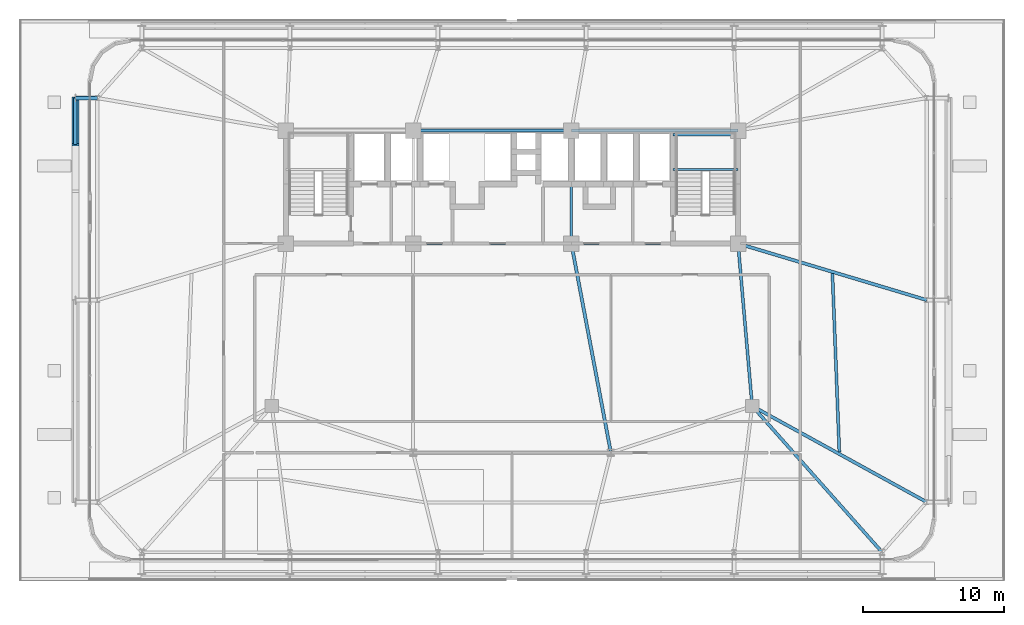
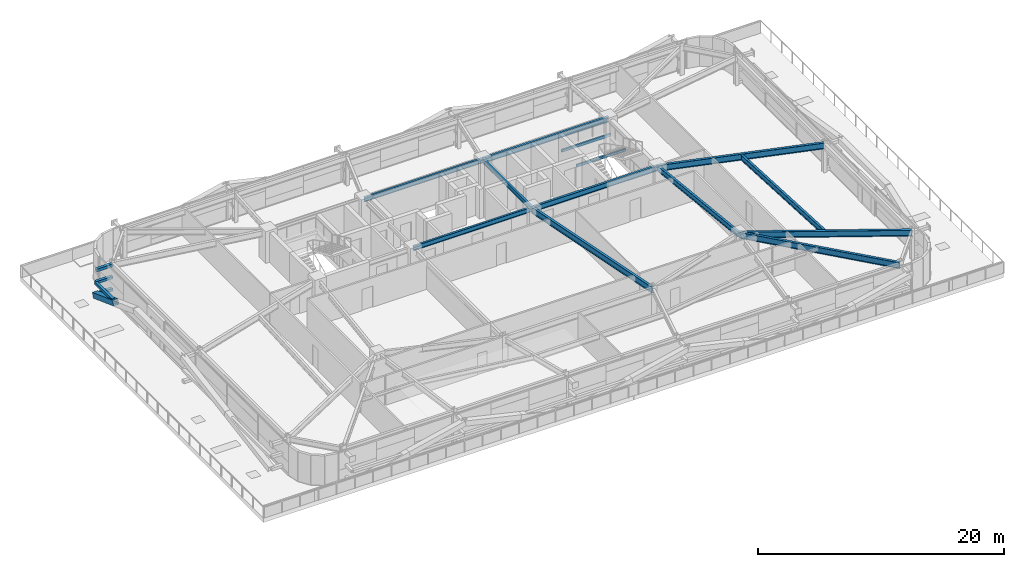
# One storey, part 24 of 56: 13 beams, 5 members.
"""IFC4 building model written with IfcOpenShell, lengths in metres."""

from ifc_helpers import new_model, si_unit, direction, frame, origin, origin_2d, place, context, subcontext, project, spatial, hollow_rectangle, i_section, extrude, source, transform, mapped, material, material_profile, profile_set, type_object, element, save


model = new_model("IFC4")

# Units and contexts
model_context = context("Model", 3, precision=1e-05, world=origin(), true_north=direction((0.0, 1.0)))
body_context = subcontext(model_context, "Body", "Model", "MODEL_VIEW")
ifc_project = project(units=[si_unit("LENGTHUNIT", "METRE"), si_unit("AREAUNIT", "SQUARE_METRE"), si_unit("VOLUMEUNIT", "CUBIC_METRE"), si_unit("PLANEANGLEUNIT", "RADIAN"), si_unit("MASSUNIT", "GRAM", prefix="KILO")], contexts=[model_context])

# Site, building, storey
site_placement = place(None, origin())
site = spatial("IfcSite", under=ifc_project, at=site_placement, CompositionType="ELEMENT")
building_placement = place(site_placement, origin())
building = spatial("IfcBuilding", under=site, at=building_placement, Name="Taldren Reach Tower", CompositionType="ELEMENT")
storey_placement = place(building_placement, frame((0.0, 0.0, 16.800048828125)))
storey = spatial("IfcBuildingStorey", under=building, at=storey_placement, Name="L04", CompositionType="ELEMENT", Elevation=16.800048828125)

# Beams
ifc_material_1 = material(Name="Steel Gr 350 (350PLUS)", Category="steel")
ifc_material_profile_1 = material_profile(ifc_material_1, i_section(OverallWidth=0.19091796875, OverallDepth=0.4599609375, WebThickness=0.010009765625, FlangeThickness=0.01611328125, at=origin_2d()), Name="460UB82.1")
ifc_profile_set_1 = profile_set([ifc_material_profile_1], Name="Steel Gr 350 (350PLUS)")
beam_type_1 = type_object("IfcBeamType", Name="BM-UB460A", PredefinedType="BEAM", material=ifc_profile_set_1)
shared_shape_1 = source(origin(), body_context, "Body", "SweptSolid", [
    extrude(i_section(OverallWidth=0.19091796875, OverallDepth=0.4599609375, WebThickness=0.010009765625, FlangeThickness=0.01611328125, at=origin_2d()), origin(), (0.0, 0.0, 1.0), 11.199951171875),
])
for number, where, z_axis, x_axis, name in (
    (1, (28.0, 24.0, 2.699951171875), (1.0, 0.0, 0.0), (0.0, 1.0, 0.0), "Core-spine girder L04-SP02"),
    (2, (28.0, 32.0, 2.699951171875), (1.0, 0.0, 0.0), (0.0, 1.0, 0.0), "Core-spine girder L04-SP05"),
):
    element("IfcBeam", number, at=place(storey_placement, frame(where, z_axis=z_axis, x_axis=x_axis)), inside=storey, type_object=beam_type_1, Name=name, PredefinedType="BEAM", context=body_context, shape_type="MappedRepresentation", body=[
        mapped(shared_shape_1, transform((0.0, 0.0, 0.0), scale=1.0)),
    ])
ifc_material_profile_2 = material_profile(ifc_material_1, i_section(OverallWidth=0.208984375, OverallDepth=0.532958984375, WebThickness=0.01025390625, FlangeThickness=0.015625, at=origin_2d()), Name="530UB92.4")
ifc_profile_set_2 = profile_set([ifc_material_profile_2], Name="Steel Gr 350 (350PLUS)")
beam_type_2 = type_object("IfcBeamType", Name="BM-UB530A", PredefinedType="BEAM", material=ifc_profile_set_2)
shared_shape_2 = source(origin(), body_context, "Body", "SweptSolid", [
    extrude(i_section(OverallWidth=0.208984375, OverallDepth=0.532958984375, WebThickness=0.01025390625, FlangeThickness=0.015625, at=origin_2d()), origin(), (0.0, 0.0, 1.0), 11.800048828125),
])
for number, where, z_axis, x_axis, name in (
    (3, (39.199951171875, 24.0, 2.663330078125), (1.0, 0.0, 0.0), (0.0, 1.0, 0.0), "Core-spine girder L04-SP03"),
    (4, (39.199951171875, 32.0, 2.663330078125), (1.0, 0.0, 0.0), (0.0, 1.0, 0.0), "Core-spine girder L04-SP06"),
):
    element("IfcBeam", number, at=place(storey_placement, frame(where, z_axis=z_axis, x_axis=x_axis)), inside=storey, type_object=beam_type_2, Name=name, PredefinedType="BEAM", context=body_context, shape_type="MappedRepresentation", body=[
        mapped(shared_shape_2, transform((0.0, 0.0, 0.0), scale=1.0)),
    ])
shared_shape_3 = source(origin(), body_context, "Body", "SweptSolid", [
    extrude(i_section(OverallWidth=0.19091796875, OverallDepth=0.4599609375, WebThickness=0.010009765625, FlangeThickness=0.01611328125, at=origin_2d()), origin(), (0.0, 0.0, 1.0), 8.0),
])
beam_1_placement = place(storey_placement, frame((39.199951171875, 24.0, 2.699951171875), z_axis=(0.0, 1.0, 0.0), x_axis=(-1.0, 0.0, 0.0)))
element("IfcBeam", 5, at=beam_1_placement, inside=storey, type_object=beam_type_1, Name="Core-spine girder L04-SP08", PredefinedType="BEAM", context=body_context, shape_type="MappedRepresentation", body=[
    mapped(shared_shape_3, transform((0.0, 0.0, 0.0), scale=1.0)),
])
shared_shape_4 = source(origin(), body_context, "Body", "SweptSolid", [
    extrude(i_section(OverallWidth=0.208984375, OverallDepth=0.532958984375, WebThickness=0.01025390625, FlangeThickness=0.015625, at=origin_2d()), origin(), (0.0, 0.0, 1.0), 11.54345703125),
])
beam_2_placement = place(storey_placement, frame((52.0, 12.5, 2.663330078125), z_axis=(-0.086629616365, 0.996240588196, 0.0), x_axis=(-0.996240588196, -0.086629616365, 0.0)))
element("IfcBeam", 6, at=beam_2_placement, inside=storey, type_object=beam_type_2, Name="Core-spine girder L04-SP13", PredefinedType="BEAM", context=body_context, shape_type="MappedRepresentation", body=[
    mapped(shared_shape_4, transform((0.0, 0.0, 0.0), scale=1.0)),
])
ifc_material_profile_3 = material_profile(ifc_material_1, i_section(OverallWidth=0.22802734375, OverallDepth=0.60205078125, WebThickness=0.010498046875, FlangeThickness=0.014892578125, at=origin_2d()), Name="610UB101")
ifc_profile_set_3 = profile_set([ifc_material_profile_3], Name="Steel Gr 350 (350PLUS)")
beam_type_3 = type_object("IfcBeamType", Name="BM-UB610B", PredefinedType="BEAM", material=ifc_profile_set_3)
shared_shape_5 = source(origin(), body_context, "Body", "SweptSolid", [
    extrude(i_section(OverallWidth=0.22802734375, OverallDepth=0.60205078125, WebThickness=0.010498046875, FlangeThickness=0.014892578125, at=origin_2d()), origin(), (0.0, 0.0, 1.0), 15.0625),
])
beam_3_placement = place(storey_placement, frame((39.199951171875, 24.0, 2.62890625), z_axis=(0.185894205668, -0.982569765614, 0.0), x_axis=(0.982569765614, 0.185894205668, 0.0)))
element("IfcBeam", 7, at=beam_3_placement, inside=storey, type_object=beam_type_3, Name="Core-spine girder L04-SP15", PredefinedType="BEAM", context=body_context, shape_type="MappedRepresentation", body=[
    mapped(shared_shape_5, transform((0.0, 0.0, 0.0), scale=1.0)),
])
shared_shape_6 = source(origin(), body_context, "Body", "SweptSolid", [
    extrude(i_section(OverallWidth=0.22802734375, OverallDepth=0.60205078125, WebThickness=0.010498046875, FlangeThickness=0.014892578125, at=origin_2d()), origin(), (0.0, 0.0, 1.0), 13.847900390625),
])
beam_4_placement = place(storey_placement, frame((52.0, 12.5, 2.62890625), z_axis=(0.664358367375, -0.747414182164, 0.0), x_axis=(0.747414182164, 0.664358367375, 0.0)))
element("IfcBeam", 8, at=beam_4_placement, inside=storey, type_object=beam_type_3, Name="Primary floor girder B1-S6 L04", PredefinedType="BEAM", context=body_context, shape_type="MappedRepresentation", body=[
    mapped(shared_shape_6, transform((0.0, 0.0, 0.0), scale=1.0)),
])
shared_shape_7 = source(origin(), body_context, "Body", "SweptSolid", [
    extrude(i_section(OverallWidth=0.22802734375, OverallDepth=0.60205078125, WebThickness=0.010498046875, FlangeThickness=0.014892578125, at=origin_2d()), origin(), (0.0, 0.0, 1.0), 14.098388671875),
])
beam_5_placement = place(storey_placement, frame((52.0, 12.5, 2.62890625), z_axis=(0.875991325783, -0.482326857175, 0.0), x_axis=(0.482326857175, 0.875991325783, 0.0)))
element("IfcBeam", 9, at=beam_5_placement, inside=storey, type_object=beam_type_3, Name="Primary floor girder B1-E1 L04", PredefinedType="BEAM", context=body_context, shape_type="MappedRepresentation", body=[
    mapped(shared_shape_7, transform((0.0, 0.0, 0.0), scale=1.0)),
])
shared_shape_8 = source(origin(), body_context, "Body", "SweptSolid", [
    extrude(i_section(OverallWidth=0.22802734375, OverallDepth=0.60205078125, WebThickness=0.010498046875, FlangeThickness=0.014892578125, at=origin_2d()), origin(), (0.0, 0.0, 1.0), 13.9365234375),
])
beam_6_placement = place(storey_placement, frame((51.0, 24.0, 2.62890625), z_axis=(0.957925550891, -0.287016792104, 0.0), x_axis=(0.287016792104, 0.957925550891, 0.0)))
element("IfcBeam", 10, at=beam_6_placement, inside=storey, type_object=beam_type_3, Name="Primary floor girder B1-E2 L04", PredefinedType="BEAM", context=body_context, shape_type="MappedRepresentation", body=[
    mapped(shared_shape_8, transform((0.0, 0.0, 0.0), scale=1.0)),
])
shared_shape_9 = source(origin(), body_context, "Body", "SweptSolid", [
    extrude(i_section(OverallWidth=0.208984375, OverallDepth=0.532958984375, WebThickness=0.01025390625, FlangeThickness=0.015625, at=origin_2d()), origin(), (0.0, 0.0, 1.0), 12.65625),
])
beam_7_placement = place(storey_placement, frame((58.169921875, 9.23291015625, 2.663330078125), z_axis=(-0.0387346395, 0.99924953225, 0.0), x_axis=(-0.99924953225, -0.0387346395, 0.0)))
element("IfcBeam", 11, at=beam_7_placement, inside=storey, type_object=beam_type_2, Name="Secondary floor beam B1 J7 L04", PredefinedType="BEAM", context=body_context, shape_type="MappedRepresentation", body=[
    mapped(shared_shape_9, transform((0.0, 0.0, 0.0), scale=1.0)),
])

# Members
ifc_material_2 = material(Name="Steel Gr 450 (C450L0)", Category="steel")
ifc_material_profile_4 = material_profile(ifc_material_2, hollow_rectangle(XDim=0.27490234375, YDim=0.27490234375, WallThickness=0.00927734375, at=origin_2d()), Name="275x275x9.3SHS")
ifc_profile_set_4 = profile_set([ifc_material_profile_4], Name="Steel Gr 450 (C450L0)")
member_type_1 = type_object("IfcMemberType", Name="MB-TIE273", PredefinedType="STRUT", material=ifc_profile_set_4)
shared_shape_10 = source(origin(), body_context, "Body", "SweptSolid", [
    extrude(hollow_rectangle(XDim=0.27490234375, YDim=0.27490234375, WallThickness=0.00927734375, at=origin_2d()), origin(), (0.0, 0.0, 1.0), 1.5498046875),
])
for number, where, z_axis, x_axis, name in (
    (12, (5.64990234375, 34.300048828125, 2.64990234375), (-1.0, 0.0, 0.0), (0.0, -1.0, 0.0), "Exoskeleton diaphragm tie strut B1-W3 L04"),
    (13, (5.64990234375, 34.300048828125, 0.219970703125), (-1.0, 0.0, 0.0), (0.0, -1.0, 0.0), "Exoskeleton base diaphragm tie strut B1-W3 L04"),
):
    element("IfcMember", number, at=place(storey_placement, frame(where, z_axis=z_axis, x_axis=x_axis)), inside=storey, type_object=member_type_1, Name=name, PredefinedType="STRUT", context=body_context, shape_type="MappedRepresentation", body=[
        mapped(shared_shape_10, transform((0.0, 0.0, 0.0), scale=1.0)),
    ])
ifc_material_3 = material(Name="Steel Gr 350 (C350L0)", Category="steel")
ifc_material_profile_5 = material_profile(ifc_material_3, hollow_rectangle(XDim=0.25, YDim=0.25, WallThickness=0.010009765625, at=origin_2d()), Name="250x250x10.0SHS")
ifc_profile_set_5 = profile_set([ifc_material_profile_5], Name="Steel Gr 350 (C350L0)")
member_type_2 = type_object("IfcMemberType", Name="MB-POST250", PredefinedType="POST", material=ifc_profile_set_5)
shared_shape_11 = source(origin(), body_context, "Body", "SweptSolid", [
    extrude(hollow_rectangle(XDim=0.25, YDim=0.25, WallThickness=0.010009765625, at=origin_2d()), origin(), (0.0, 0.0, 1.0), 1.5498046875),
])
member_1_placement = place(storey_placement, frame((5.64990234375, 34.300048828125, 1.43505859375), z_axis=(-1.0, 0.0, 0.0), x_axis=(0.0, -1.0, 0.0)))
element("IfcMember", 14, at=member_1_placement, inside=storey, type_object=member_type_2, Name="Exoskeleton mid-tier diaphragm tie B1-W3 L04", PredefinedType="POST", context=body_context, shape_type="MappedRepresentation", body=[
    mapped(shared_shape_11, transform((0.0, 0.0, 0.0), scale=1.0)),
])
ifc_material_profile_6 = material_profile(ifc_material_2, hollow_rectangle(XDim=0.510009765625, YDim=0.510009765625, WallThickness=0.02001953125, at=origin_2d()), Name="510x510x20.0SHS")
ifc_profile_set_6 = profile_set([ifc_material_profile_6], Name="Steel Gr 450 (C450L0)")
member_type_3 = type_object("IfcMemberType", Name="MB-EXO508", PredefinedType="BRACE", material=ifc_profile_set_6)
shared_shape_12 = source(origin(), body_context, "Body", "SweptSolid", [
    extrude(hollow_rectangle(XDim=0.510009765625, YDim=0.510009765625, WallThickness=0.02001953125, at=origin_2d()), origin(), (0.0, 0.0, 1.0), 3.5166015625),
])
member_2_placement = place(storey_placement, frame((4.10009765625, 34.300048828125, 0.219970703125), z_axis=(0.0, -0.938409476011, 0.345525187697), x_axis=(1.0, 0.0, 0.0)))
element("IfcMember", 15, at=member_2_placement, inside=storey, type_object=member_type_3, Name="Exoskeleton Diagrid Brace B1-W2 L04", PredefinedType="BRACE", context=body_context, shape_type="MappedRepresentation", body=[
    mapped(shared_shape_12, transform((0.0, 0.0, 0.0), scale=1.0)),
])
shared_shape_13 = source(origin(), body_context, "Body", "SweptSolid", [
    extrude(hollow_rectangle(XDim=0.25, YDim=0.25, WallThickness=0.010009765625, at=origin_2d()), origin(), (0.0, 0.0, 1.0), 3.300048828125),
])
member_3_placement = place(storey_placement, frame((4.10009765625, 34.300048828125, 1.43505859375), z_axis=(0.0, -1.0, 0.0), x_axis=(1.0, 0.0, 0.0)))
element("IfcMember", 16, at=member_3_placement, inside=storey, type_object=member_type_2, Name="Exoskeleton mid-height ring chord B1-W2 L04", PredefinedType="POST", context=body_context, shape_type="MappedRepresentation", body=[
    mapped(shared_shape_13, transform((0.0, 0.0, 0.0), scale=1.0)),
])

# Beams
ifc_material_profile_7 = material_profile(ifc_material_3, hollow_rectangle(XDim=0.14990234375, YDim=0.25, WallThickness=0.009033203125, at=origin_2d()), Name="250x150x9.0RHS")
ifc_profile_set_7 = profile_set([ifc_material_profile_7], Name="Steel Gr 350 (C350L0)")
beam_type_4 = type_object("IfcBeamType", Name="LN-RHS250", PredefinedType="LINTEL", material=ifc_profile_set_7)
shared_shape_14 = source(origin(), body_context, "Body", "SweptSolid", [
    extrude(hollow_rectangle(XDim=0.14990234375, YDim=0.25, WallThickness=0.009033203125, at=origin_2d()), origin(), (0.0, 0.0, 1.0), 4.60009765625),
])
for number, where, z_axis, x_axis, name in (
    (17, (46.39990234375, 29.2548828125, 1.27001953125), (1.0, 0.0, 0.0), (0.0, 1.0, 0.0), "Stair half-landing support beam ST2-L04-1"),
    (18, (46.39990234375, 31.699951171875, 1.27001953125), (1.0, 0.0, 0.0), (0.0, 1.0, 0.0), "Stair half-landing support beam ST2-L04-2"),
):
    element("IfcBeam", number, at=place(storey_placement, frame(where, z_axis=z_axis, x_axis=x_axis)), inside=storey, type_object=beam_type_4, Name=name, PredefinedType="LINTEL", context=body_context, shape_type="MappedRepresentation", body=[
        mapped(shared_shape_14, transform((0.0, 0.0, 0.0), scale=1.0)),
    ])

save(model, "model.ifc")
